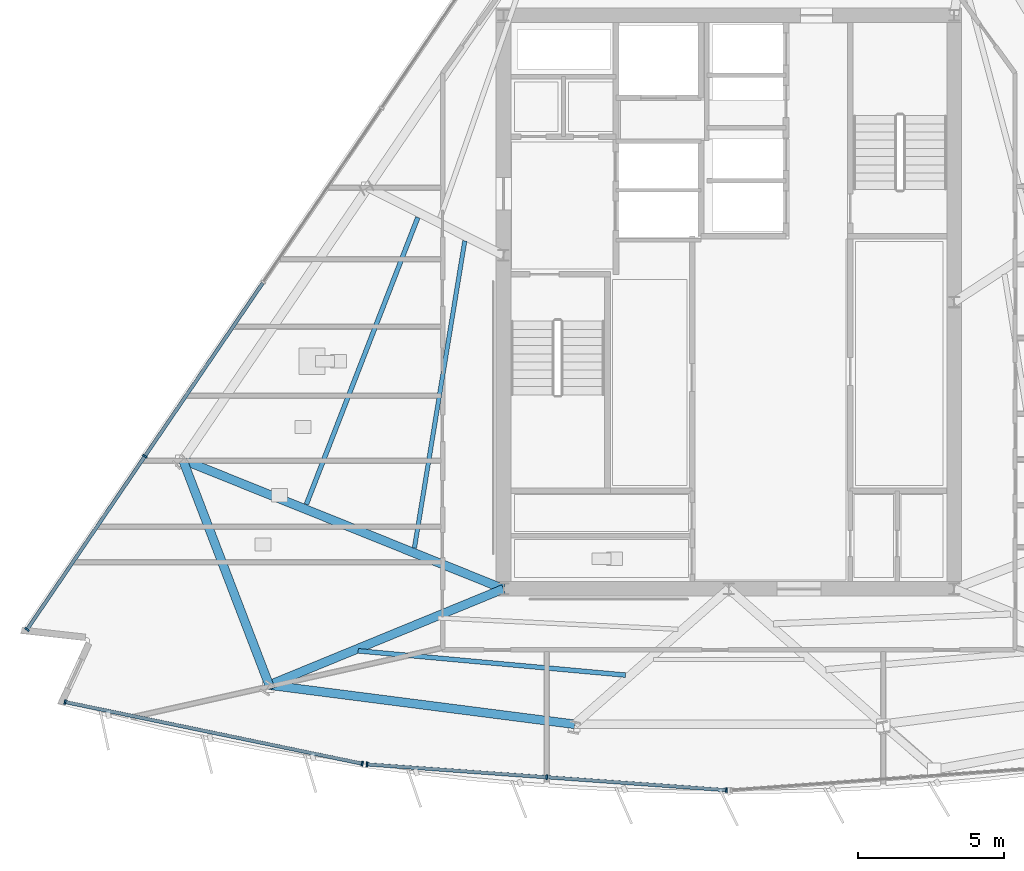
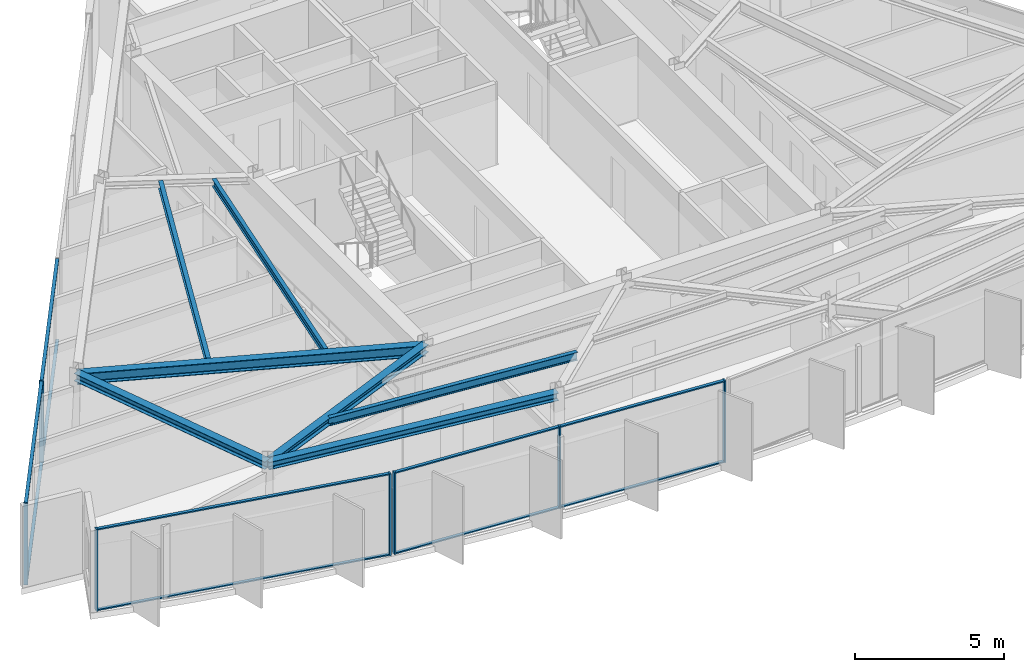
# One storey, part 2 of 13: 17 members, 7 beams, 3 elements without a shape of their own.
"""IFC4 building model written with IfcOpenShell, lengths in metres."""

from ifc_helpers import new_model, si_unit, direction, frame, origin, origin_2d, place, context, subcontext, project, spatial, rectangle, i_section, extrude, material, material_profile, profile_set, type_object, element, aggregate, save


model = new_model("IFC4")

# Units and contexts
model_context = context("Model", 3, precision=1e-05, world=origin(), true_north=direction((0.0, 1.0)))
body_context = subcontext(model_context, "Body", "Model", "MODEL_VIEW")
ifc_project = project(units=[si_unit("LENGTHUNIT", "METRE"), si_unit("AREAUNIT", "SQUARE_METRE"), si_unit("VOLUMEUNIT", "CUBIC_METRE"), si_unit("PLANEANGLEUNIT", "RADIAN"), si_unit("MASSUNIT", "GRAM", prefix="KILO")], contexts=[model_context])

# Site, building, storey
site_placement = place(None, origin())
site = spatial("IfcSite", under=ifc_project, at=site_placement, CompositionType="ELEMENT")
building_placement = place(site_placement, origin())
building = spatial("IfcBuilding", under=site, at=building_placement, Name="Savorim Split Tower", CompositionType="ELEMENT")
storey_placement = place(building_placement, frame((0.0, 0.0, 258.0)))
storey = spatial("IfcBuildingStorey", under=building, at=storey_placement, Name="L68", CompositionType="ELEMENT", Elevation=258.0)

# Beams
ifc_material_1 = material(Name="Steel S355", Category="steel")
ifc_material_profile_1 = material_profile(ifc_material_1, i_section(OverallWidth=0.14990234375, OverallDepth=0.300048828125, WebThickness=0.007080078125, FlangeThickness=0.0107421875, FilletRadius=0.014892578125, at=origin_2d()), Name="IPE 300")
ifc_profile_set_1 = profile_set([ifc_material_profile_1], Name="Steel S355")
beam_type_1 = type_object("IfcBeamType", Name="BM-JST-IPE300", PredefinedType="JOIST", material=ifc_profile_set_1)
beam_1_placement = place(storey_placement, frame((-9.021484375, 2.490966796875, 3.199951171875), z_axis=(-0.161770996939, -0.986828325774, 0.0), x_axis=(0.986828325774, -0.161770996939, 0.0)))
element("IfcBeam", 1, at=beam_1_placement, inside=storey, type_object=beam_type_1, Name="L68 Secondary Floor Joist JS-11", PredefinedType="JOIST", context=body_context, shape_type="SweptSolid", body=[
    extrude(i_section(OverallWidth=0.14990234375, OverallDepth=0.300048828125, WebThickness=0.007080078125, FlangeThickness=0.0107421875, FilletRadius=0.014892578125, at=origin_2d()), origin(), (0.0, 0.0, 1.0), 10.63818359375),
])
ifc_material_profile_2 = material_profile(ifc_material_1, i_section(OverallWidth=0.159912109375, OverallDepth=0.330078125, WebThickness=0.007568359375, FlangeThickness=0.011474609375, FilletRadius=0.01806640625, at=origin_2d()), Name="IPE 330")
ifc_profile_set_2 = profile_set([ifc_material_profile_2], Name="Steel S355")
beam_type_2 = type_object("IfcBeamType", Name="BM-JST-IPE330", PredefinedType="JOIST", material=ifc_profile_set_2)
beam_2_placement = place(storey_placement, frame((-12.664306640625, -11.518798828125, 3.18505859375), z_axis=(0.995909986029, -0.090350980775, 0.0), x_axis=(0.090350980775, 0.995909986029, 0.0)))
element("IfcBeam", 2, at=beam_2_placement, inside=storey, type_object=beam_type_2, Name="L68 Secondary Floor Joist JS-01", PredefinedType="JOIST", context=body_context, shape_type="SweptSolid", body=[
    extrude(i_section(OverallWidth=0.159912109375, OverallDepth=0.330078125, WebThickness=0.007568359375, FlangeThickness=0.011474609375, FilletRadius=0.01806640625, at=origin_2d()), origin(), (0.0, 0.0, 1.0), 9.173828125),
])
beam_3_placement = place(storey_placement, frame((-10.626708984375, 3.287841796875, 3.18505859375), z_axis=(-0.362184143201, -0.932106563872, 0.0), x_axis=(0.932106563872, -0.362184143201, 0.0)))
element("IfcBeam", 3, at=beam_3_placement, inside=storey, type_object=beam_type_2, Name="L68 Secondary Floor Joist JS-10", PredefinedType="JOIST", context=body_context, shape_type="SweptSolid", body=[
    extrude(i_section(OverallWidth=0.159912109375, OverallDepth=0.330078125, WebThickness=0.007568359375, FlangeThickness=0.011474609375, FilletRadius=0.01806640625, at=origin_2d()), origin(), (0.0, 0.0, 1.0), 10.518310546875),
])
ifc_material_profile_3 = material_profile(ifc_material_1, i_section(OverallWidth=0.300048828125, OverallDepth=0.300048828125, WebThickness=0.010986328125, FlangeThickness=0.01904296875, FilletRadius=0.027099609375, at=origin_2d()), Name="HEB 300")
ifc_profile_set_3 = profile_set([ifc_material_profile_3], Name="Steel S355")
beam_type_3 = type_object("IfcBeamType", Name="BM-PRI-HEB300", PredefinedType="BEAM", material=ifc_profile_set_3)
beam_4_placement = place(storey_placement, frame((-15.70556640625, -12.687744140625, 3.199951171875), z_axis=(0.925027076553, 0.37990118142, 0.0), x_axis=(-0.37990118142, 0.925027076553, 0.0)))
element("IfcBeam", 4, at=beam_4_placement, inside=storey, type_object=beam_type_3, Name="L68 Primary Floor Girder RG-01", PredefinedType="BEAM", context=body_context, shape_type="SweptSolid", body=[
    extrude(i_section(OverallWidth=0.300048828125, OverallDepth=0.300048828125, WebThickness=0.010986328125, FlangeThickness=0.01904296875, FilletRadius=0.027099609375, at=origin_2d()), origin(), (0.0, 0.0, 1.0), 8.654541015625),
])
ifc_material_profile_4 = material_profile(ifc_material_1, i_section(OverallWidth=0.300048828125, OverallDepth=0.449951171875, WebThickness=0.013916015625, FlangeThickness=0.02587890625, FilletRadius=0.027099609375, at=origin_2d()), Name="HEB 450")
ifc_profile_set_4 = profile_set([ifc_material_profile_4], Name="Steel S355")
beam_type_4 = type_object("IfcBeamType", Name="BM-PRI-HEB450", PredefinedType="BEAM", material=ifc_profile_set_4)
beam_5_placement = place(storey_placement, frame((-18.658203125, -4.989501953125, 3.125), z_axis=(0.927683498765, -0.373367548294, 0.0), x_axis=(0.373367548294, 0.927683498765, 0.0)))
element("IfcBeam", 5, at=beam_5_placement, inside=storey, type_object=beam_type_4, Name="L68 Primary Floor Girder RG-10", PredefinedType="BEAM", context=body_context, shape_type="SweptSolid", body=[
    extrude(i_section(OverallWidth=0.300048828125, OverallDepth=0.449951171875, WebThickness=0.013916015625, FlangeThickness=0.02587890625, FilletRadius=0.027099609375, at=origin_2d()), origin(), (0.0, 0.0, 1.0), 11.8125),
])
ifc_material_profile_5 = material_profile(ifc_material_1, i_section(OverallWidth=0.300048828125, OverallDepth=0.31005859375, WebThickness=0.009033203125, FlangeThickness=0.015380859375, FilletRadius=0.027099609375, at=origin_2d()), Name="HEA 320")
ifc_profile_set_5 = profile_set([ifc_material_profile_5], Name="Steel S355")
beam_type_5 = type_object("IfcBeamType", Name="BM-SPN-HEA320", PredefinedType="SPANDREL", material=ifc_profile_set_5)
beam_6_placement = place(storey_placement, frame((-15.70556640625, -12.687744140625, 3.195068359375), z_axis=(0.991859223744, -0.127339233051, 0.0), x_axis=(0.127339233051, 0.991859223744, 0.0)))
element("IfcBeam", 6, at=beam_6_placement, inside=storey, type_object=beam_type_5, Name="L68 Perimeter Spandrel Beam 1", PredefinedType="SPANDREL", context=body_context, shape_type="SweptSolid", body=[
    extrude(i_section(OverallWidth=0.300048828125, OverallDepth=0.31005859375, WebThickness=0.009033203125, FlangeThickness=0.015380859375, FilletRadius=0.027099609375, at=origin_2d()), origin(), (0.0, 0.0, 1.0), 10.527587890625),
])
beam_7_placement = place(storey_placement, frame((-18.658203125, -4.989501953125, 3.195068359375), z_axis=(0.358109839149, -0.933679464862, 0.0), x_axis=(0.933679464862, 0.358109839149, 0.0)))
element("IfcBeam", 7, at=beam_7_placement, inside=storey, type_object=beam_type_5, Name="L68 Perimeter Spandrel Beam 10", PredefinedType="SPANDREL", context=body_context, shape_type="SweptSolid", body=[
    extrude(i_section(OverallWidth=0.300048828125, OverallDepth=0.31005859375, WebThickness=0.009033203125, FlangeThickness=0.015380859375, FilletRadius=0.027099609375, at=origin_2d()), origin(), (0.0, 0.0, 1.0), 8.2451171875),
])

# Curtain wall, members
ifc_material_2 = material(Name="Dark Ceramic-Fritted Insulated Glass", Category="glass")
curtain_wall_type = type_object("IfcCurtainWallType", Name="CW-TWR-FRIT-B", PredefinedType="NOTDEFINED", material=ifc_material_2)
curtain_wall_1_placement = place(storey_placement, origin())
curtain_wall_1 = element("IfcCurtainWall", 8, at=curtain_wall_1_placement, inside=storey, type_object=curtain_wall_type, Name="L68 Curtain Wall CW-L68-SF1", PredefinedType="NOTDEFINED")
ifc_material_3 = material(Name="Charcoal Anodised Aluminium", Category="aluminium")
ifc_material_profile_6 = material_profile(ifc_material_3, rectangle(XDim=0.159912109375, YDim=0.06005859375, at=origin_2d()), Name="ALU-M 160x60")
ifc_profile_set_6 = profile_set([ifc_material_profile_6], Name="Charcoal Anodised Aluminium")
member_type_1 = type_object("IfcMemberType", Name="CWM-160x60", PredefinedType="MULLION", material=ifc_profile_set_6)
member_1_placement = place(storey_placement, frame((-22.677978515625, -13.26611328125, 0.0), z_axis=(0.0, 0.0, 1.0), x_axis=(0.20320761208, 0.979135673129, 0.0)))
member_1 = element("IfcMember", 9, at=member_1_placement, type_object=member_type_1, Name="CW-03 mullion 1", PredefinedType="MULLION", context=body_context, shape_type="SweptSolid", body=[
    extrude(rectangle(XDim=0.159912109375, YDim=0.06005859375, at=origin_2d()), origin(), (0.0, 0.0, 1.0), 3.35009765625),
])
member_2_placement = place(storey_placement, frame((-12.524169921875, -15.373291015625, 0.0), z_axis=(0.0, 0.0, 1.0), x_axis=(0.20320761208, 0.979135673129, 0.0)))
member_2 = element("IfcMember", 10, at=member_2_placement, type_object=member_type_1, Name="CW-03 mullion 2", PredefinedType="MULLION", context=body_context, shape_type="SweptSolid", body=[
    extrude(rectangle(XDim=0.159912109375, YDim=0.06005859375, at=origin_2d()), origin(), (0.0, 0.0, 1.0), 3.35009765625),
])

curtain_wall_2_placement = place(storey_placement, origin())
curtain_wall_2 = element("IfcCurtainWall", 11, at=curtain_wall_2_placement, inside=storey, type_object=curtain_wall_type, Name="L68 Curtain Wall CW-L68-SF2", PredefinedType="NOTDEFINED")
member_3_placement = place(storey_placement, frame((-12.362060546875, -15.39599609375, 0.0), z_axis=(0.0, 0.0, 1.0), x_axis=(0.071562386711, 0.997436125678, 0.0)))
member_3 = element("IfcMember", 12, at=member_3_placement, type_object=member_type_1, Name="CW-03 mullion 1", PredefinedType="MULLION", context=body_context, shape_type="SweptSolid", body=[
    extrude(rectangle(XDim=0.159912109375, YDim=0.06005859375, at=origin_2d()), origin(), (0.0, 0.0, 1.0), 3.35009765625),
])
member_4_placement = place(storey_placement, frame((-6.2216796875, -15.83642578125, 0.0), z_axis=(0.0, 0.0, 1.0), x_axis=(0.071562386711, 0.997436125678, 0.0)))
member_4 = element("IfcMember", 13, at=member_4_placement, type_object=member_type_1, Name="CW-03 mullion 2", PredefinedType="MULLION", context=body_context, shape_type="SweptSolid", body=[
    extrude(rectangle(XDim=0.159912109375, YDim=0.06005859375, at=origin_2d()), origin(), (0.0, 0.0, 1.0), 3.35009765625),
])
member_5_placement = place(storey_placement, frame((-0.081298828125, -16.277099609375, 0.0), z_axis=(0.0, 0.0, 1.0), x_axis=(0.071562386711, 0.997436125678, 0.0)))
member_5 = element("IfcMember", 14, at=member_5_placement, type_object=member_type_1, Name="CW-03 mullion 3", PredefinedType="MULLION", context=body_context, shape_type="SweptSolid", body=[
    extrude(rectangle(XDim=0.159912109375, YDim=0.06005859375, at=origin_2d()), origin(), (0.0, 0.0, 1.0), 3.35009765625),
])

curtain_wall_3_placement = place(storey_placement, origin())
curtain_wall_3 = element("IfcCurtainWall", 15, at=curtain_wall_3_placement, inside=storey, type_object=curtain_wall_type, Name="L68 Curtain Wall CW-L68-WEST", PredefinedType="NOTDEFINED")
member_6_placement = place(storey_placement, frame((-19.951904296875, -4.8671875, 0.0), z_axis=(0.0, 0.0, 1.0), x_axis=(0.826817472755, -0.562470325215, 0.0)))
member_6 = element("IfcMember", 16, at=member_6_placement, type_object=member_type_1, Name="CW-03 mullion 4", PredefinedType="MULLION", context=body_context, shape_type="SweptSolid", body=[
    extrude(rectangle(XDim=0.159912109375, YDim=0.06005859375, at=origin_2d()), origin(), (0.0, 0.0, 1.0), 3.35009765625),
])
member_7_placement = place(storey_placement, frame((-23.97998046875, -10.78857421875, 0.0), z_axis=(0.0, 0.0, 1.0), x_axis=(0.826817472755, -0.562470325215, 0.0)))
member_7 = element("IfcMember", 17, at=member_7_placement, type_object=member_type_1, Name="CW-03 mullion 5", PredefinedType="MULLION", context=body_context, shape_type="SweptSolid", body=[
    extrude(rectangle(XDim=0.159912109375, YDim=0.06005859375, at=origin_2d()), origin(), (0.0, 0.0, 1.0), 3.35009765625),
])

# Member
ifc_material_profile_7 = material_profile(ifc_material_3, rectangle(XDim=0.1201171875, YDim=0.050048828125, at=origin_2d()), Name="ALU-T 120x50")
ifc_profile_set_7 = profile_set([ifc_material_profile_7], Name="Charcoal Anodised Aluminium")
member_type_2 = type_object("IfcMemberType", Name="CWT-120x50", PredefinedType="USERDEFINED", material=ifc_profile_set_7)
member_8_placement = place(storey_placement, frame((-22.648681640625, -13.272216796875, 0.02490234375), z_axis=(0.97913890437, -0.203192042041, 0.0), x_axis=(0.203192042041, 0.97913890437, 0.0)))
member_8 = element("IfcMember", 18, at=member_8_placement, type_object=member_type_2, Name="CW-03 transom 1.1", ObjectType="TRANSOM", PredefinedType="USERDEFINED", context=body_context, shape_type="SweptSolid", body=[
    extrude(rectangle(XDim=0.1201171875, YDim=0.050048828125, at=origin_2d()), origin(), (0.0, 0.0, 1.0), 10.310302734375),
])

member_9_placement = place(storey_placement, frame((-22.648681640625, -13.272216796875, 3.324951171875), z_axis=(0.97913890437, -0.203192042041, 0.0), x_axis=(0.203192042041, 0.97913890437, 0.0)))
member_9 = element("IfcMember", 19, at=member_9_placement, type_object=member_type_2, Name="CW-03 transom 1.2", ObjectType="TRANSOM", PredefinedType="USERDEFINED", context=body_context, shape_type="SweptSolid", body=[
    extrude(rectangle(XDim=0.1201171875, YDim=0.050048828125, at=origin_2d()), origin(), (0.0, 0.0, 1.0), 10.310302734375),
])

aggregate(curtain_wall_1, [member_1, member_2, member_8, member_9])

member_10_placement = place(storey_placement, frame((-12.332275390625, -15.398193359375, 0.02490234375), z_axis=(0.997436085583, -0.071562945555, 0.0), x_axis=(0.071562945555, 0.997436085583, 0.0)))
member_10 = element("IfcMember", 20, at=member_10_placement, type_object=member_type_2, Name="CW-03 transom 1.1", ObjectType="TRANSOM", PredefinedType="USERDEFINED", context=body_context, shape_type="SweptSolid", body=[
    extrude(rectangle(XDim=0.1201171875, YDim=0.050048828125, at=origin_2d()), origin(), (0.0, 0.0, 1.0), 6.096435546875),
])

member_11_placement = place(storey_placement, frame((-12.332275390625, -15.398193359375, 3.324951171875), z_axis=(0.997436085583, -0.071562945555, 0.0), x_axis=(0.071562945555, 0.997436085583, 0.0)))
member_11 = element("IfcMember", 21, at=member_11_placement, type_object=member_type_2, Name="CW-03 transom 1.2", ObjectType="TRANSOM", PredefinedType="USERDEFINED", context=body_context, shape_type="SweptSolid", body=[
    extrude(rectangle(XDim=0.1201171875, YDim=0.050048828125, at=origin_2d()), origin(), (0.0, 0.0, 1.0), 6.096435546875),
])

member_12_placement = place(storey_placement, frame((-6.191650390625, -15.838623046875, 0.02490234375), z_axis=(0.997435880483, -0.071565804161, 0.0), x_axis=(0.071565804161, 0.997435880483, 0.0)))
member_12 = element("IfcMember", 22, at=member_12_placement, type_object=member_type_2, Name="CW-03 transom 2.1", ObjectType="TRANSOM", PredefinedType="USERDEFINED", context=body_context, shape_type="SweptSolid", body=[
    extrude(rectangle(XDim=0.1201171875, YDim=0.050048828125, at=origin_2d()), origin(), (0.0, 0.0, 1.0), 6.09619140625),
])

member_13_placement = place(storey_placement, frame((-6.191650390625, -15.838623046875, 3.324951171875), z_axis=(0.997435880483, -0.071565804161, 0.0), x_axis=(0.071565804161, 0.997435880483, 0.0)))
member_13 = element("IfcMember", 23, at=member_13_placement, type_object=member_type_2, Name="CW-03 transom 2.2", ObjectType="TRANSOM", PredefinedType="USERDEFINED", context=body_context, shape_type="SweptSolid", body=[
    extrude(rectangle(XDim=0.1201171875, YDim=0.050048828125, at=origin_2d()), origin(), (0.0, 0.0, 1.0), 6.09619140625),
])

aggregate(curtain_wall_2, [member_3, member_4, member_5, member_10, member_11, member_12, member_13])

member_14_placement = place(storey_placement, frame((-15.923828125, 1.053955078125, 0.02490234375), z_axis=(-0.562465450543, -0.826820788893, 0.0), x_axis=(0.826820788893, -0.562465450543, 0.0)))
member_14 = element("IfcMember", 24, at=member_14_placement, type_object=member_type_2, Name="CW-03 transom 3.1", ObjectType="TRANSOM", PredefinedType="USERDEFINED", context=body_context, shape_type="SweptSolid", body=[
    extrude(rectangle(XDim=0.1201171875, YDim=0.050048828125, at=origin_2d()), origin(), (0.0, 0.0, 1.0), 7.131591796875),
])

member_15_placement = place(storey_placement, frame((-15.923828125, 1.053955078125, 3.324951171875), z_axis=(-0.562465450543, -0.826820788893, 0.0), x_axis=(0.826820788893, -0.562465450543, 0.0)))
member_15 = element("IfcMember", 25, at=member_15_placement, type_object=member_type_2, Name="CW-03 transom 3.2", ObjectType="TRANSOM", PredefinedType="USERDEFINED", context=body_context, shape_type="SweptSolid", body=[
    extrude(rectangle(XDim=0.1201171875, YDim=0.050048828125, at=origin_2d()), origin(), (0.0, 0.0, 1.0), 7.131591796875),
])

member_16_placement = place(storey_placement, frame((-19.96875, -4.89208984375, 0.02490234375), z_axis=(-0.562474570512, -0.826814584733, 0.0), x_axis=(0.826814584733, -0.562474570512, 0.0)))
member_16 = element("IfcMember", 26, at=member_16_placement, type_object=member_type_2, Name="CW-03 transom 4.1", ObjectType="TRANSOM", PredefinedType="USERDEFINED", context=body_context, shape_type="SweptSolid", body=[
    extrude(rectangle(XDim=0.1201171875, YDim=0.050048828125, at=origin_2d()), origin(), (0.0, 0.0, 1.0), 7.1015625),
])

member_17_placement = place(storey_placement, frame((-19.96875, -4.89208984375, 3.324951171875), z_axis=(-0.562474570512, -0.826814584733, 0.0), x_axis=(0.826814584733, -0.562474570512, 0.0)))
member_17 = element("IfcMember", 27, at=member_17_placement, type_object=member_type_2, Name="CW-03 transom 4.2", ObjectType="TRANSOM", PredefinedType="USERDEFINED", context=body_context, shape_type="SweptSolid", body=[
    extrude(rectangle(XDim=0.1201171875, YDim=0.050048828125, at=origin_2d()), origin(), (0.0, 0.0, 1.0), 7.1015625),
])

aggregate(curtain_wall_3, [member_6, member_7, member_14, member_15, member_16, member_17])

save(model, "model.ifc")
